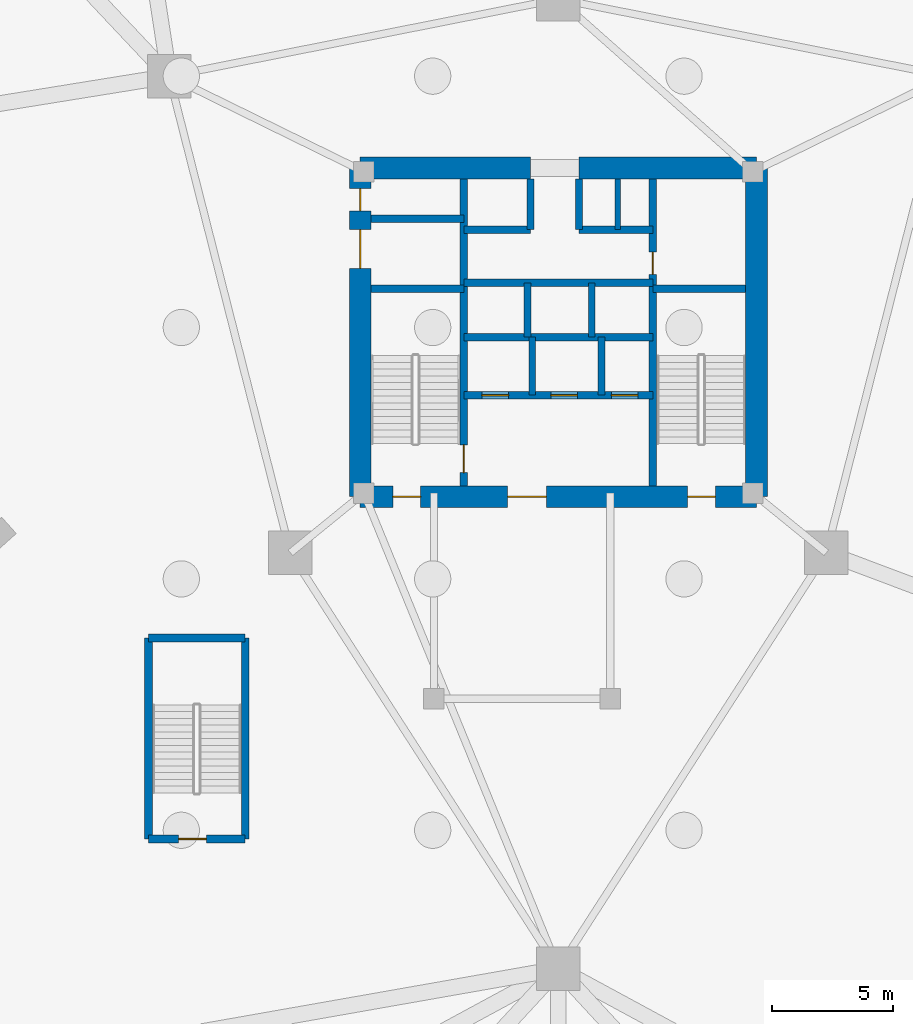
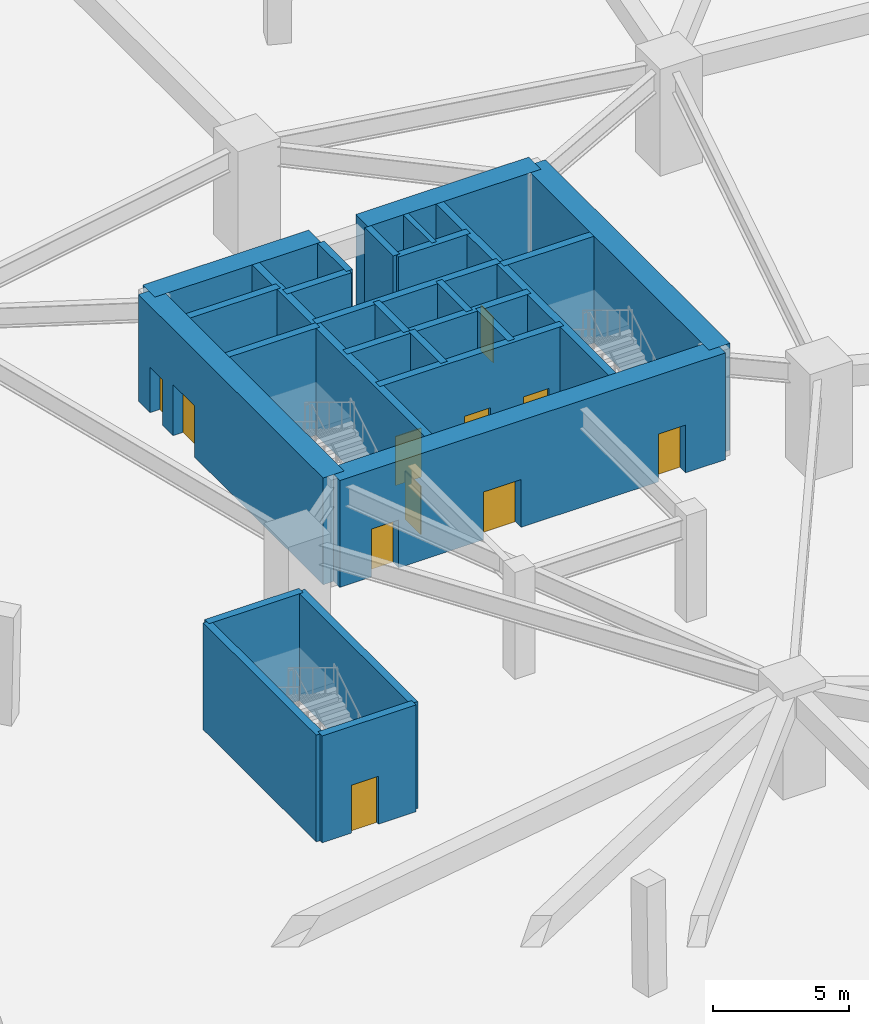
# One storey, part 3 of 5: 26 walls, 11 doors, 11 openings.
"""IFC4 building model written with IfcOpenShell, lengths in metres."""

from ifc_helpers import new_model, si_unit, direction, frame, frame_2d, origin, place, context, subcontext, project, spatial, rectangle, extrude, material, layer, layer_set, type_object, element, fill, save


model = new_model("IFC4")

# Units and contexts
model_context = context("Model", 3, precision=1e-05, world=origin(), true_north=direction((0.0, 1.0)))
body_context = subcontext(model_context, "Body", "Model", "MODEL_VIEW")
ifc_project = project(units=[si_unit("LENGTHUNIT", "METRE"), si_unit("AREAUNIT", "SQUARE_METRE"), si_unit("VOLUMEUNIT", "CUBIC_METRE"), si_unit("PLANEANGLEUNIT", "RADIAN"), si_unit("MASSUNIT", "GRAM", prefix="KILO")], contexts=[model_context])

# Site, building, storey
site_placement = place(None, origin())
site = spatial("IfcSite", under=ifc_project, at=site_placement, CompositionType="ELEMENT")
building_placement = place(site_placement, origin())
building = spatial("IfcBuilding", under=site, at=building_placement, Name="Talyreon Biosciences Tower", CompositionType="ELEMENT")
storey_placement = place(building_placement, frame((0.0, 0.0, -9.60009765625)))
storey = spatial("IfcBuildingStorey", under=building, at=storey_placement, Name="B2", CompositionType="ELEMENT", Elevation=-9.60009765625)

# Walls
ifc_material_1 = material(Name="Concrete C50/60", Category="concrete")
ifc_layer_1 = layer(ifc_material_1, 0.219970703125)
ifc_layer_set_1 = layer_set([ifc_layer_1], Name="Concrete C50/60")
wall_type_1 = type_object("IfcWallType", Name="CoreShearWall_220", PredefinedType="SHEAR", material=ifc_layer_set_1)
wall_1_placement = place(storey_placement, frame((68.4599609375, 72.25, 0.0), z_axis=(0.0, 0.0, 1.0), x_axis=(0.0, 1.0, 0.0)))
element("IfcWall", 1, at=wall_1_placement, inside=storey, type_object=wall_type_1, Name="B2 Core Shaft Wall SWPHD", PredefinedType="SHEAR", context=body_context, shape_type="SweptSolid", body=[
    extrude(rectangle(XDim=2.10009765625, YDim=0.219970703125, at=frame_2d((1.050048828125, 0.0))), origin(), (0.0, 0.0, 1.0), 4.800048828125),
])
ifc_layer_2 = layer(ifc_material_1, 0.280029296875)
ifc_layer_set_2 = layer_set([ifc_layer_2], Name="Concrete C50/60")
wall_type_2 = type_object("IfcWallType", Name="CoreShearWall_280", PredefinedType="SHEAR", material=ifc_layer_set_2)
wall_2_placement = place(storey_placement, frame((64.919921875, 65.39990234375, 0.0), z_axis=(0.0, 0.0, 1.0), x_axis=(0.0, 1.0, 0.0)))
element("IfcWall", 2, at=wall_2_placement, inside=storey, type_object=wall_type_2, Name="B2 Core Shaft Wall SWSHD1", PredefinedType="SHEAR", context=body_context, shape_type="SweptSolid", body=[
    extrude(rectangle(XDim=2.400146484375, YDim=0.280029296875, at=frame_2d((1.2001953125, 0.0))), origin(), (0.0, 0.0, 1.0), 4.800048828125),
])
for number, where, z_axis, x_axis, name in (
    (3, (64.85009765625, 72.25, 0.0), (0.0, 0.0, 1.0), (0.0, 1.0, 0.0), "B2 Core Shaft Wall SWTHW"),
    (4, (66.85009765625, 72.25, 0.0), (0.0, 0.0, 1.0), (0.0, 1.0, 0.0), "B2 Core Shaft Wall SWTHE"),
):
    element("IfcWall", number, at=place(storey_placement, frame(where, z_axis=z_axis, x_axis=x_axis)), inside=storey, type_object=wall_type_2, Name=name, PredefinedType="SHEAR", context=body_context, shape_type="SweptSolid", body=[
        extrude(rectangle(XDim=2.10009765625, YDim=0.280029296875, at=frame_2d((1.050048828125, 0.0))), origin(), (0.0, 0.0, 1.0), 4.800048828125),
    ])
wall_3_placement = place(storey_placement, frame((67.780029296875, 65.39990234375, 0.0), z_axis=(0.0, 0.0, 1.0), x_axis=(0.0, 1.0, 0.0)))
element("IfcWall", 5, at=wall_3_placement, inside=storey, type_object=wall_type_2, Name="B2 Core Shaft Wall SWSHD2", PredefinedType="SHEAR", context=body_context, shape_type="SweptSolid", body=[
    extrude(rectangle(XDim=2.400146484375, YDim=0.280029296875, at=frame_2d((1.2001953125, 0.0))), origin(), (0.0, 0.0, 1.0), 4.800048828125),
])
for number, where, z_axis, x_axis, name in (
    (6, (64.719970703125, 67.800048828125, 0.0), (0.0, 0.0, 1.0), (0.0, 1.0, 0.0), "B2 Core Shaft Wall SWPLD"),
    (7, (67.3798828125, 67.800048828125, 0.0), (0.0, 0.0, 1.0), (0.0, 1.0, 0.0), "B2 Core Shaft Wall SWPMD"),
):
    element("IfcWall", number, at=place(storey_placement, frame(where, z_axis=z_axis, x_axis=x_axis)), inside=storey, type_object=wall_type_2, Name=name, PredefinedType="SHEAR", context=body_context, shape_type="SweptSolid", body=[
        extrude(rectangle(XDim=2.25, YDim=0.280029296875, at=frame_2d((1.125, 0.0))), origin(), (0.0, 0.0, 1.0), 4.800048828125),
    ])

# Wall, opening, door
ifc_layer_3 = layer(ifc_material_1, 0.320068359375)
ifc_layer_set_3 = layer_set([ifc_layer_3], Name="Concrete C50/60")
wall_type_3 = type_object("IfcWallType", Name="CoreShearWall_320", PredefinedType="SHEAR", material=ifc_layer_set_3)
wall_4_placement = place(storey_placement, frame((62.090087890625, 61.64990234375, 0.0), z_axis=(0.0, 0.0, 1.0), x_axis=(0.0, 1.0, 0.0)))
wall_4 = element("IfcWall", 8, at=wall_4_placement, inside=storey, type_object=wall_type_3, Name="B2 Core Shaft Wall SW1E", PredefinedType="SHEAR", context=body_context, shape_type="SweptSolid", body=[
    extrude(rectangle(XDim=12.7001953125, YDim=0.320068359375, at=frame_2d((6.35009765625, 0.0))), origin(), (0.0, 0.0, 1.0), 4.800048828125),
])
opening_1_placement = place(wall_4_placement, frame((0.550048828125, 0.0, 0.0)))
opening_1 = element("IfcOpeningElement", 9, at=opening_1_placement, cuts=wall_4, Name="Opening DR-B2-FF-ST1", PredefinedType="OPENING", context=body_context, shape_type="SweptSolid", body=[
    extrude(rectangle(XDim=1.14990234375, YDim=2.14990234375, at=frame_2d((0.574951171875, 1.074951171875))), frame((0.0, 0.169921875, 0.0), z_axis=(0.0, -1.0, 0.0), x_axis=(1.0, 0.0, 0.0)), (0.0, 0.0, 1.0), 0.340087890625),
])
ifc_material_2 = material(Name="Painted steel fire door", Category="steel")
door_type_1 = type_object("IfcDoorType", Name="StairShaftFireDoor_1150x2150", OperationType="NOTDEFINED", PredefinedType="DOOR", material=ifc_material_2)
door_1_placement = place(opening_1_placement, origin())
door_1 = element("IfcDoor", 10, at=door_1_placement, inside=storey, type_object=door_type_1, Name="B2 Core Door DR-B2-FF-ST1", OperationType="SINGLE_SWING_LEFT", OverallHeight=2.14990234375, OverallWidth=1.14990234375, PredefinedType="DOOR", context=body_context, shape_type="SweptSolid", body=[
    extrude(rectangle(XDim=1.14990234375, YDim=2.14990234375, at=frame_2d((0.574951171875, 1.074951171875))), frame((0.0, 0.02490234375, 0.0), z_axis=(0.0, -1.0, 0.0), x_axis=(1.0, 0.0, 0.0)), (0.0, 0.0, 1.0), 0.050048828125),
])
fill(opening_1, door_1)

wall_5_placement = place(storey_placement, frame((69.909912109375, 61.64990234375, 0.0), z_axis=(0.0, 0.0, 1.0), x_axis=(0.0, 1.0, 0.0)))
wall_5 = element("IfcWall", 11, at=wall_5_placement, inside=storey, type_object=wall_type_3, Name="B2 Core Shaft Wall SW2W", PredefinedType="SHEAR", context=body_context, shape_type="SweptSolid", body=[
    extrude(rectangle(XDim=12.7001953125, YDim=0.320068359375, at=frame_2d((6.35009765625, 0.0))), origin(), (0.0, 0.0, 1.0), 4.800048828125),
])
opening_2_placement = place(wall_5_placement, frame((8.75, 0.0, 0.0)))
opening_2 = element("IfcOpeningElement", 12, at=opening_2_placement, cuts=wall_5, Name="Opening DR-B2-CSRV", PredefinedType="OPENING", context=body_context, shape_type="SweptSolid", body=[
    extrude(rectangle(XDim=0.919921875, YDim=2.050048828125, at=frame_2d((0.4599609375, 1.02490234375))), frame((0.0, 0.169921875, 0.0), z_axis=(0.0, -1.0, 0.0), x_axis=(1.0, 0.0, 0.0)), (0.0, 0.0, 1.0), 0.340087890625),
])
ifc_material_3 = material(Name="Painted steel fire-rated riser door", Category="steel")
door_type_2 = type_object("IfcDoorType", Name="RiserPlantAccessDoor_920x2050", OperationType="NOTDEFINED", PredefinedType="DOOR", material=ifc_material_3)
door_2_placement = place(opening_2_placement, origin())
door_2 = element("IfcDoor", 13, at=door_2_placement, inside=storey, type_object=door_type_2, Name="B2 Core Door DR-B2-CSRV", OperationType="SINGLE_SWING_RIGHT", OverallHeight=2.050048828125, OverallWidth=0.919921875, PredefinedType="DOOR", context=body_context, shape_type="SweptSolid", body=[
    extrude(rectangle(XDim=0.919921875, YDim=2.050048828125, at=frame_2d((0.4599609375, 1.02490234375))), frame((0.0, 0.02490234375, 0.0), z_axis=(0.0, -1.0, 0.0), x_axis=(1.0, 0.0, 0.0)), (0.0, 0.0, 1.0), 0.050048828125),
])
fill(opening_2, door_2)

# Walls
for number, where, z_axis, x_axis, name in (
    (14, (58.25, 69.81005859375, 0.0), (0.0, 0.0, 1.0), (1.0, 0.0, 0.0), "B2 Core Shaft Wall SW1N"),
    (15, (69.909912109375, 69.81005859375, 0.0), (0.0, 0.0, 1.0), (1.0, 0.0, 0.0), "B2 Core Shaft Wall SW2N"),
    (16, (58.25, 72.699951171875, 0.0), (0.0, 0.0, 1.0), (1.0, 0.0, 0.0), "B2 Core Shaft Wall SWGLN"),
):
    element("IfcWall", number, at=place(storey_placement, frame(where, z_axis=z_axis, x_axis=x_axis)), inside=storey, type_object=wall_type_3, Name=name, PredefinedType="SHEAR", context=body_context, shape_type="SweptSolid", body=[
        extrude(rectangle(XDim=3.840087890625, YDim=0.320068359375, at=frame_2d((1.919921875, 0.0))), origin(), (0.0, 0.0, 1.0), 4.800048828125),
    ])
for number, where, z_axis, x_axis, name in (
    (17, (62.090087890625, 67.800048828125, 0.0), (0.0, 0.0, 1.0), (1.0, 0.0, 0.0), "B2 Core Shaft Wall SWSHM"),
    (18, (62.090087890625, 70.050048828125, 0.0), (0.0, 0.0, 1.0), (1.0, 0.0, 0.0), "B2 Core Shaft Wall SWSPN"),
):
    element("IfcWall", number, at=place(storey_placement, frame(where, z_axis=z_axis, x_axis=x_axis)), inside=storey, type_object=wall_type_3, Name=name, PredefinedType="SHEAR", context=body_context, shape_type="SweptSolid", body=[
        extrude(rectangle(XDim=7.81982421875, YDim=0.320068359375, at=frame_2d((3.909912109375, 0.0))), origin(), (0.0, 0.0, 1.0), 4.800048828125),
    ])
wall_6_placement = place(storey_placement, frame((62.090087890625, 72.25, 0.0), z_axis=(0.0, 0.0, 1.0), x_axis=(1.0, 0.0, 0.0)))
element("IfcWall", 19, at=wall_6_placement, inside=storey, type_object=wall_type_3, Name="B2 Core Shaft Wall SWNPW", PredefinedType="SHEAR", context=body_context, shape_type="SweptSolid", body=[
    extrude(rectangle(XDim=2.760009765625, YDim=0.320068359375, at=frame_2d((1.3798828125, 0.0))), origin(), (0.0, 0.0, 1.0), 4.800048828125),
])
wall_7_placement = place(storey_placement, frame((66.85009765625, 72.25, 0.0), z_axis=(0.0, 0.0, 1.0), x_axis=(1.0, 0.0, 0.0)))
element("IfcWall", 20, at=wall_7_placement, inside=storey, type_object=wall_type_3, Name="B2 Core Shaft Wall SWNPE", PredefinedType="SHEAR", context=body_context, shape_type="SweptSolid", body=[
    extrude(rectangle(XDim=3.059814453125, YDim=0.320068359375, at=frame_2d((1.52978515625, 0.0))), origin(), (0.0, 0.0, 1.0), 4.800048828125),
])

# Wall, openings, doors
wall_8_placement = place(storey_placement, frame((62.090087890625, 65.39990234375, 0.0), z_axis=(0.0, 0.0, 1.0), x_axis=(1.0, 0.0, 0.0)))
wall_8 = element("IfcWall", 21, at=wall_8_placement, inside=storey, type_object=wall_type_3, Name="B2 Core Shaft Wall SWFFN", PredefinedType="SHEAR", context=body_context, shape_type="SweptSolid", body=[
    extrude(rectangle(XDim=7.81982421875, YDim=0.320068359375, at=frame_2d((3.909912109375, 0.0))), origin(), (0.0, 0.0, 1.0), 4.800048828125),
])
opening_3_placement = place(wall_8_placement, frame((6.10009765625, 0.0, 0.0)))
opening_3 = element("IfcOpeningElement", 22, at=opening_3_placement, cuts=wall_8, Name="Opening LD-B2-PK1", PredefinedType="OPENING", context=body_context, shape_type="SweptSolid", body=[
    extrude(rectangle(XDim=1.10009765625, YDim=2.199951171875, at=frame_2d((0.550048828125, 1.10009765625))), frame((0.0, 0.169921875, 0.0), z_axis=(0.0, -1.0, 0.0), x_axis=(1.0, 0.0, 0.0)), (0.0, 0.0, 1.0), 0.340087890625),
])
opening_4_placement = place(wall_8_placement, frame((0.75, 0.0, 0.0)))
opening_4 = element("IfcOpeningElement", 23, at=opening_4_placement, cuts=wall_8, Name="Opening LD-B2-FL1", PredefinedType="OPENING", context=body_context, shape_type="SweptSolid", body=[
    extrude(rectangle(XDim=1.10009765625, YDim=2.199951171875, at=frame_2d((0.550048828125, 1.10009765625))), frame((0.0, 0.169921875, 0.0), z_axis=(0.0, -1.0, 0.0), x_axis=(1.0, 0.0, 0.0)), (0.0, 0.0, 1.0), 0.340087890625),
])
opening_5_placement = place(wall_8_placement, frame((3.60009765625, 0.0, 0.0)))
opening_5 = element("IfcOpeningElement", 24, at=opening_5_placement, cuts=wall_8, Name="Opening LD-B2-FL2", PredefinedType="OPENING", context=body_context, shape_type="SweptSolid", body=[
    extrude(rectangle(XDim=1.10009765625, YDim=2.199951171875, at=frame_2d((0.550048828125, 1.10009765625))), frame((0.0, 0.169921875, 0.0), z_axis=(0.0, -1.0, 0.0), x_axis=(1.0, 0.0, 0.0)), (0.0, 0.0, 1.0), 0.340087890625),
])
ifc_material_4 = material(Name="Brushed stainless-steel lift landing door", Category="steel")
door_type_3 = type_object("IfcDoorType", Name="LiftSlidingLandingDoor_1100x2200", OperationType="SLIDING_TO_LEFT", PredefinedType="DOOR", material=ifc_material_4)
door_3_placement = place(opening_3_placement, origin())
door_3 = element("IfcDoor", 25, at=door_3_placement, inside=storey, type_object=door_type_3, Name="B2 Core Door LD-B2-PK1", OperationType="SLIDING_TO_LEFT", OverallHeight=2.199951171875, OverallWidth=1.10009765625, PredefinedType="DOOR", context=body_context, shape_type="SweptSolid", body=[
    extrude(rectangle(XDim=1.10009765625, YDim=2.199951171875, at=frame_2d((0.550048828125, 1.10009765625))), frame((0.0, 0.02490234375, 0.0), z_axis=(0.0, -1.0, 0.0), x_axis=(1.0, 0.0, 0.0)), (0.0, 0.0, 1.0), 0.050048828125),
])
fill(opening_3, door_3)
door_4_placement = place(opening_4_placement, origin())
door_4 = element("IfcDoor", 26, at=door_4_placement, inside=storey, type_object=door_type_3, Name="B2 Core Door LD-B2-FL1", OperationType="SLIDING_TO_LEFT", OverallHeight=2.199951171875, OverallWidth=1.10009765625, PredefinedType="DOOR", context=body_context, shape_type="SweptSolid", body=[
    extrude(rectangle(XDim=1.10009765625, YDim=2.199951171875, at=frame_2d((0.550048828125, 1.10009765625))), frame((0.0, 0.02490234375, 0.0), z_axis=(0.0, -1.0, 0.0), x_axis=(1.0, 0.0, 0.0)), (0.0, 0.0, 1.0), 0.050048828125),
])
fill(opening_4, door_4)
door_5_placement = place(opening_5_placement, origin())
door_5 = element("IfcDoor", 27, at=door_5_placement, inside=storey, type_object=door_type_3, Name="B2 Core Door LD-B2-FL2", OperationType="SLIDING_TO_LEFT", OverallHeight=2.199951171875, OverallWidth=1.10009765625, PredefinedType="DOOR", context=body_context, shape_type="SweptSolid", body=[
    extrude(rectangle(XDim=1.10009765625, YDim=2.199951171875, at=frame_2d((0.550048828125, 1.10009765625))), frame((0.0, 0.02490234375, 0.0), z_axis=(0.0, -1.0, 0.0), x_axis=(1.0, 0.0, 0.0)), (0.0, 0.0, 1.0), 0.050048828125),
])
fill(opening_5, door_5)

# Walls
for number, where, z_axis, x_axis, name in (
    (28, (49.0400390625, 47.0400390625, 0.0), (0.0, 0.0, 1.0), (0.0, 1.0, 0.0), "B2 Stair ST-3 Structural Wall W"),
    (29, (53.0400390625, 47.0400390625, 0.0), (0.0, 0.0, 1.0), (0.0, 1.0, 0.0), "B2 Stair ST-3 Structural Wall E"),
):
    element("IfcWall", number, at=place(storey_placement, frame(where, z_axis=z_axis, x_axis=x_axis)), inside=storey, type_object=wall_type_3, Name=name, PredefinedType="SHEAR", context=body_context, shape_type="SweptSolid", body=[
        extrude(rectangle(XDim=8.320068359375, YDim=0.320068359375, at=frame_2d((4.16015625, 0.0))), origin(), (0.0, 0.0, 1.0), 4.800048828125),
    ])
wall_9_placement = place(storey_placement, frame((49.0400390625, 55.360107421875, 0.0), z_axis=(0.0, 0.0, 1.0), x_axis=(1.0, 0.0, 0.0)))
element("IfcWall", 30, at=wall_9_placement, inside=storey, type_object=wall_type_3, Name="B2 Stair ST-3 Structural Wall N", PredefinedType="SHEAR", context=body_context, shape_type="SweptSolid", body=[
    extrude(rectangle(XDim=4.0, YDim=0.320068359375, at=frame_2d((2.0, 0.0))), origin(), (0.0, 0.0, 1.0), 4.800048828125),
])

# Wall, opening, door
wall_10_placement = place(storey_placement, frame((49.0400390625, 47.0400390625, 0.0), z_axis=(0.0, 0.0, 1.0), x_axis=(1.0, 0.0, 0.0)))
wall_10 = element("IfcWall", 31, at=wall_10_placement, inside=storey, type_object=wall_type_3, Name="B2 Stair ST-3 Structural Wall S", PredefinedType="SHEAR", context=body_context, shape_type="SweptSolid", body=[
    extrude(rectangle(XDim=4.0, YDim=0.320068359375, at=frame_2d((2.0, 0.0))), origin(), (0.0, 0.0, 1.0), 4.800048828125),
])
opening_6_placement = place(wall_10_placement, frame((1.25, 0.0, 0.0)))
opening_6 = element("IfcOpeningElement", 32, at=opening_6_placement, cuts=wall_10, Name="Opening DR-B2-ST3", PredefinedType="OPENING", context=body_context, shape_type="SweptSolid", body=[
    extrude(rectangle(XDim=1.14990234375, YDim=2.14990234375, at=frame_2d((0.574951171875, 1.074951171875))), frame((0.0, 0.169921875, 0.0), z_axis=(0.0, -1.0, 0.0), x_axis=(1.0, 0.0, 0.0)), (0.0, 0.0, 1.0), 0.340087890625),
])
door_6_placement = place(opening_6_placement, origin())
door_6 = element("IfcDoor", 33, at=door_6_placement, inside=storey, type_object=door_type_1, Name="B2 Core Door DR-B2-ST3", OperationType="SINGLE_SWING_LEFT", OverallHeight=2.14990234375, OverallWidth=1.14990234375, PredefinedType="DOOR", context=body_context, shape_type="SweptSolid", body=[
    extrude(rectangle(XDim=1.14990234375, YDim=2.14990234375, at=frame_2d((0.574951171875, 1.074951171875))), frame((0.0, 0.02490234375, 0.0), z_axis=(0.0, -1.0, 0.0), x_axis=(1.0, 0.0, 0.0)), (0.0, 0.0, 1.0), 0.050048828125),
])
fill(opening_6, door_6)

# Wall, openings, doors
ifc_material_5 = material(Name="Concrete C60/75", Category="concrete")
ifc_layer_4 = layer(ifc_material_5, 0.89990234375)
ifc_layer_set_4 = layer_set([ifc_layer_4], Name="Concrete C60/75")
wall_type_4 = type_object("IfcWallType", Name="CoreShearWall_900", PredefinedType="SHEAR", material=ifc_layer_set_4)
wall_11_placement = place(storey_placement, frame((57.800048828125, 61.199951171875, 0.0), z_axis=(0.0, 0.0, 1.0), x_axis=(1.0, 0.0, 0.0)))
wall_11 = element("IfcWall", 34, at=wall_11_placement, inside=storey, type_object=wall_type_4, Name="B2 Core Shear Wall S", PredefinedType="SHEAR", context=body_context, shape_type="SweptSolid", body=[
    extrude(rectangle(XDim=16.39990234375, YDim=0.89990234375, at=frame_2d((8.199951171875, 0.0))), origin(), (0.0, 0.0, 1.0), 4.800048828125),
])
opening_7_placement = place(wall_11_placement, frame((1.35009765625, 0.0, 0.0)))
opening_7 = element("IfcOpeningElement", 35, at=opening_7_placement, cuts=wall_11, Name="Opening DR-B2-ST1", PredefinedType="OPENING", context=body_context, shape_type="SweptSolid", body=[
    extrude(rectangle(XDim=1.14990234375, YDim=2.14990234375, at=frame_2d((0.574951171875, 1.074951171875))), frame((0.0, 0.4599609375, 0.0), z_axis=(0.0, -1.0, 0.0), x_axis=(1.0, 0.0, 0.0)), (0.0, 0.0, 1.0), 0.919921875),
])
opening_8_placement = place(wall_11_placement, frame((6.10009765625, 0.0, 0.0)))
opening_8 = element("IfcOpeningElement", 36, at=opening_8_placement, cuts=wall_11, Name="Opening DR-B2-FFL", PredefinedType="OPENING", context=body_context, shape_type="SweptSolid", body=[
    extrude(rectangle(XDim=1.60009765625, YDim=2.14990234375, at=frame_2d((0.800048828125, 1.074951171875))), frame((0.0, 0.4599609375, 0.0), z_axis=(0.0, -1.0, 0.0), x_axis=(1.0, 0.0, 0.0)), (0.0, 0.0, 1.0), 0.919921875),
])
opening_9_placement = place(wall_11_placement, frame((13.550048828125, 0.0, 0.0)))
opening_9 = element("IfcOpeningElement", 37, at=opening_9_placement, cuts=wall_11, Name="Opening DR-B2-ST2", PredefinedType="OPENING", context=body_context, shape_type="SweptSolid", body=[
    extrude(rectangle(XDim=1.14990234375, YDim=2.14990234375, at=frame_2d((0.574951171875, 1.074951171875))), frame((0.0, 0.4599609375, 0.0), z_axis=(0.0, -1.0, 0.0), x_axis=(1.0, 0.0, 0.0)), (0.0, 0.0, 1.0), 0.919921875),
])
ifc_material_6 = material(Name="Painted steel smoke-seal fire door", Category="steel")
door_type_4 = type_object("IfcDoorType", Name="FirefightingLobbyDoubleDoor_1600x2150", OperationType="DOUBLE_DOOR_SINGLE_SWING", PredefinedType="DOOR", material=ifc_material_6)
door_7_placement = place(opening_8_placement, origin())
door_7 = element("IfcDoor", 38, at=door_7_placement, inside=storey, type_object=door_type_4, Name="B2 Core Door DR-B2-FFL", OperationType="DOUBLE_DOOR_SINGLE_SWING", OverallHeight=2.14990234375, OverallWidth=1.60009765625, PredefinedType="DOOR", context=body_context, shape_type="SweptSolid", body=[
    extrude(rectangle(XDim=1.60009765625, YDim=2.14990234375, at=frame_2d((0.800048828125, 1.074951171875))), frame((0.0, 0.02490234375, 0.0), z_axis=(0.0, -1.0, 0.0), x_axis=(1.0, 0.0, 0.0)), (0.0, 0.0, 1.0), 0.050048828125),
])
fill(opening_8, door_7)
door_8_placement = place(opening_7_placement, origin())
door_8 = element("IfcDoor", 39, at=door_8_placement, inside=storey, type_object=door_type_1, Name="B2 Core Door DR-B2-ST1", OperationType="SINGLE_SWING_LEFT", OverallHeight=2.14990234375, OverallWidth=1.14990234375, PredefinedType="DOOR", context=body_context, shape_type="SweptSolid", body=[
    extrude(rectangle(XDim=1.14990234375, YDim=2.14990234375, at=frame_2d((0.574951171875, 1.074951171875))), frame((0.0, 0.02490234375, 0.0), z_axis=(0.0, -1.0, 0.0), x_axis=(1.0, 0.0, 0.0)), (0.0, 0.0, 1.0), 0.050048828125),
])
fill(opening_7, door_8)
door_9_placement = place(opening_9_placement, origin())
door_9 = element("IfcDoor", 40, at=door_9_placement, inside=storey, type_object=door_type_1, Name="B2 Core Door DR-B2-ST2", OperationType="SINGLE_SWING_RIGHT", OverallHeight=2.14990234375, OverallWidth=1.14990234375, PredefinedType="DOOR", context=body_context, shape_type="SweptSolid", body=[
    extrude(rectangle(XDim=1.14990234375, YDim=2.14990234375, at=frame_2d((0.574951171875, 1.074951171875))), frame((0.0, 0.02490234375, 0.0), z_axis=(0.0, -1.0, 0.0), x_axis=(1.0, 0.0, 0.0)), (0.0, 0.0, 1.0), 0.050048828125),
])
fill(opening_9, door_9)

# Walls
wall_12_placement = place(storey_placement, frame((74.199951171875, 61.199951171875, 0.0), z_axis=(0.0, 0.0, 1.0), x_axis=(0.0, 1.0, 0.0)))
element("IfcWall", 41, at=wall_12_placement, inside=storey, type_object=wall_type_4, Name="B2 Core Shear Wall E", PredefinedType="SHEAR", context=body_context, shape_type="SweptSolid", body=[
    extrude(rectangle(XDim=13.60009765625, YDim=0.89990234375, at=frame_2d((6.800048828125, 0.0))), origin(), (0.0, 0.0, 1.0), 4.800048828125),
])
wall_13_placement = place(storey_placement, frame((74.199951171875, 74.800048828125, 0.0), z_axis=(0.0, 0.0, 1.0), x_axis=(-1.0, 0.0, 0.0)))
element("IfcWall", 42, at=wall_13_placement, inside=storey, type_object=wall_type_4, Name="B2 Core Shear Wall NE", PredefinedType="SHEAR", context=body_context, shape_type="SweptSolid", body=[
    extrude(rectangle(XDim=7.349853515625, YDim=0.89990234375, at=frame_2d((3.6748046875, 0.0))), origin(), (0.0, 0.0, 1.0), 4.800048828125),
])
wall_14_placement = place(storey_placement, frame((64.85009765625, 74.800048828125, 0.0), z_axis=(0.0, 0.0, 1.0), x_axis=(-1.0, 0.0, 0.0)))
element("IfcWall", 43, at=wall_14_placement, inside=storey, type_object=wall_type_4, Name="B2 Core Shear Wall NW", PredefinedType="SHEAR", context=body_context, shape_type="SweptSolid", body=[
    extrude(rectangle(XDim=7.050048828125, YDim=0.89990234375, at=frame_2d((3.52490234375, 0.0))), origin(), (0.0, 0.0, 1.0), 4.800048828125),
])

# Wall, openings, doors
wall_15_placement = place(storey_placement, frame((57.800048828125, 74.800048828125, 0.0), z_axis=(0.0, 0.0, 1.0), x_axis=(0.0, -1.0, 0.0)))
wall_15 = element("IfcWall", 44, at=wall_15_placement, inside=storey, type_object=wall_type_4, Name="B2 Core Shear Wall W", PredefinedType="SHEAR", context=body_context, shape_type="SweptSolid", body=[
    extrude(rectangle(XDim=13.60009765625, YDim=0.89990234375, at=frame_2d((6.800048828125, 0.0))), origin(), (0.0, 0.0, 1.0), 4.800048828125),
])
opening_10_placement = place(wall_15_placement, frame((0.85009765625, 0.0, 0.0)))
opening_10 = element("IfcOpeningElement", 45, at=opening_10_placement, cuts=wall_15, Name="Opening DR-B2-RSW", PredefinedType="OPENING", context=body_context, shape_type="SweptSolid", body=[
    extrude(rectangle(XDim=0.919921875, YDim=2.050048828125, at=frame_2d((0.4599609375, 1.02490234375))), frame((0.0, 0.4599609375, 0.0), z_axis=(0.0, -1.0, 0.0), x_axis=(1.0, 0.0, 0.0)), (0.0, 0.0, 1.0), 0.919921875),
])
opening_11_placement = place(wall_15_placement, frame((2.550048828125, 0.0, 0.0)))
opening_11 = element("IfcOpeningElement", 46, at=opening_11_placement, cuts=wall_15, Name="Opening LD-B2-GL1", PredefinedType="OPENING", context=body_context, shape_type="SweptSolid", body=[
    extrude(rectangle(XDim=1.60009765625, YDim=2.300048828125, at=frame_2d((0.800048828125, 1.14990234375))), frame((0.0, 0.4599609375, 0.0), z_axis=(0.0, -1.0, 0.0), x_axis=(1.0, 0.0, 0.0)), (0.0, 0.0, 1.0), 0.919921875),
])
ifc_material_7 = material(Name="Heavy-duty stainless-steel goods lift door", Category="steel")
door_type_5 = type_object("IfcDoorType", Name="GoodsLiftSlidingDoor_1600x2300", OperationType="DOUBLE_DOOR_SLIDING", PredefinedType="DOOR", material=ifc_material_7)
door_10_placement = place(opening_11_placement, origin())
door_10 = element("IfcDoor", 47, at=door_10_placement, inside=storey, type_object=door_type_5, Name="B2 Core Door LD-B2-GL1", OperationType="DOUBLE_DOOR_SLIDING", OverallHeight=2.300048828125, OverallWidth=1.60009765625, PredefinedType="DOOR", context=body_context, shape_type="SweptSolid", body=[
    extrude(rectangle(XDim=1.60009765625, YDim=2.300048828125, at=frame_2d((0.800048828125, 1.14990234375))), frame((0.0, 0.02490234375, 0.0), z_axis=(0.0, -1.0, 0.0), x_axis=(1.0, 0.0, 0.0)), (0.0, 0.0, 1.0), 0.050048828125),
])
fill(opening_11, door_10)
door_11_placement = place(opening_10_placement, origin())
door_11 = element("IfcDoor", 48, at=door_11_placement, inside=storey, type_object=door_type_2, Name="B2 Core Door DR-B2-RSW", OperationType="SINGLE_SWING_LEFT", OverallHeight=2.050048828125, OverallWidth=0.919921875, PredefinedType="DOOR", context=body_context, shape_type="SweptSolid", body=[
    extrude(rectangle(XDim=0.919921875, YDim=2.050048828125, at=frame_2d((0.4599609375, 1.02490234375))), frame((0.0, 0.02490234375, 0.0), z_axis=(0.0, -1.0, 0.0), x_axis=(1.0, 0.0, 0.0)), (0.0, 0.0, 1.0), 0.050048828125),
])
fill(opening_10, door_11)

save(model, "model.ifc")
